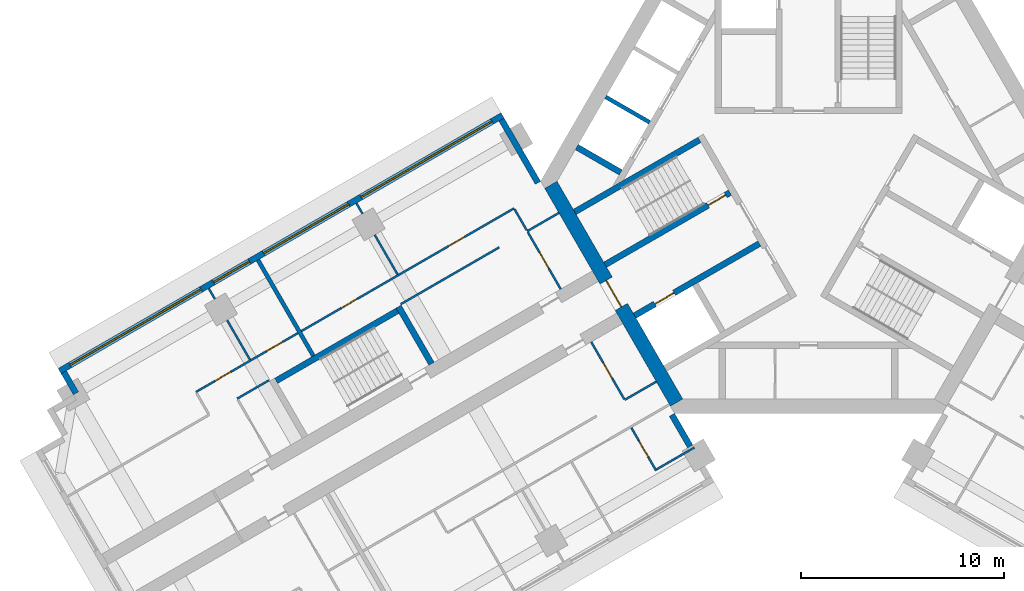
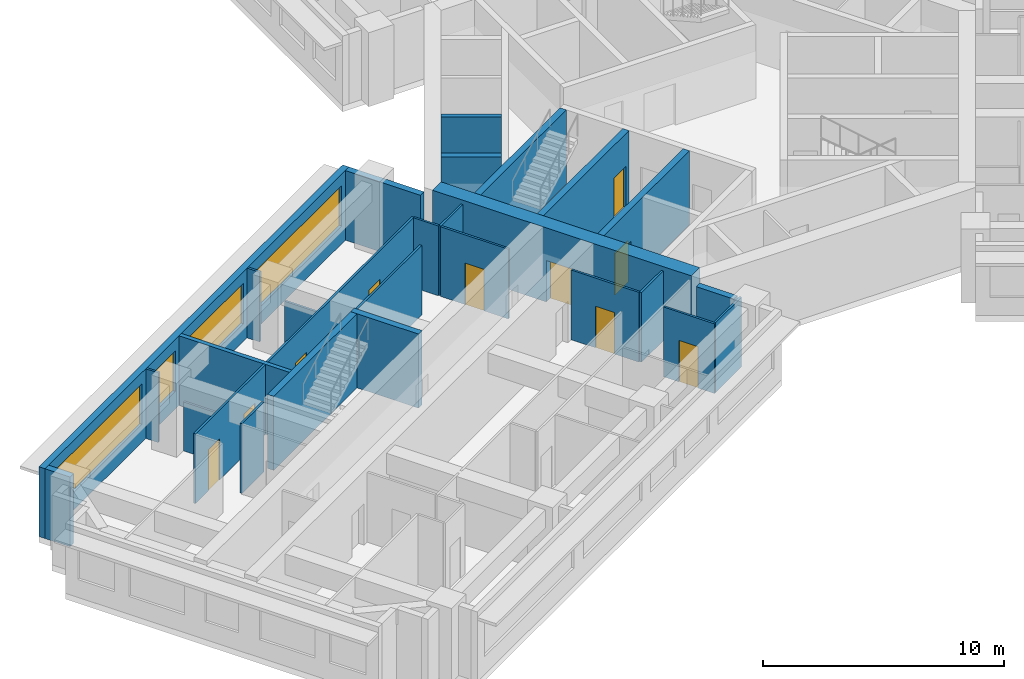
# One storey, part 4 of 12: 28 walls, 10 doors, 4 windows, 14 openings.
"""IFC4 building model written with IfcOpenShell, lengths in metres."""

from ifc_helpers import new_model, si_unit, direction, frame, frame_2d, origin, place, context, subcontext, project, spatial, rectangle, extrude, material, layer, layer_set, type_object, element, fill, save


model = new_model("IFC4")

# Units and contexts
model_context = context("Model", 3, precision=1e-05, world=origin(), true_north=direction((0.0, 1.0)))
body_context = subcontext(model_context, "Body", "Model", "MODEL_VIEW")
ifc_project = project(units=[si_unit("LENGTHUNIT", "METRE"), si_unit("AREAUNIT", "SQUARE_METRE"), si_unit("VOLUMEUNIT", "CUBIC_METRE"), si_unit("PLANEANGLEUNIT", "RADIAN"), si_unit("MASSUNIT", "GRAM", prefix="KILO")], contexts=[model_context])

# Site, building, storey
site_placement = place(None, origin())
site = spatial("IfcSite", under=ifc_project, at=site_placement, CompositionType="ELEMENT")
building_placement = place(site_placement, origin())
building = spatial("IfcBuilding", under=site, at=building_placement, Name="Impinga Residences", CompositionType="ELEMENT")
storey_placement = place(building_placement, frame((0.0, 0.0, 188.5)))
storey = spatial("IfcBuildingStorey", under=building, at=storey_placement, Name="L46", CompositionType="ELEMENT", Elevation=188.5)

# Wall
ifc_material_1 = material(Name="Terracotta rainscreen on blockwork", Category="masonry")
ifc_layer_1 = layer(ifc_material_1, 0.300048828125)
ifc_layer_set_1 = layer_set([ifc_layer_1], Name="EW1 external wall, terracotta rainscreen on blockwork 300")
wall_type_1 = type_object("IfcWallType", Name="EW1 external wall, terracotta rainscreen on blockwork 300", PredefinedType="SOLIDWALL", material=ifc_layer_set_1)
wall_1_placement = place(storey_placement, frame((-36.093994140625, -10.446533203125, 0.0), z_axis=(0.0, 0.0, 1.0), x_axis=(-0.499880961361, 0.866094119867, 0.0)))
element("IfcWall", 1, at=wall_1_placement, inside=storey, type_object=wall_type_1, Name="External wall EW1 L46", PredefinedType="SOLIDWALL", context=body_context, shape_type="SweptSolid", body=[
    extrude(rectangle(XDim=1.199951171875, YDim=0.300048828125, at=frame_2d((0.60009765625, 0.0))), origin(), (0.0, 0.0, 1.0), 3.530029296875),
])

# Wall, openings, windows
wall_2_placement = place(storey_placement, frame((-36.89892578125, -9.352294921875, 0.0), z_axis=(0.0, 0.0, 1.0), x_axis=(0.86602925447, 0.499993330357, 0.0)))
wall_2 = element("IfcWall", 2, at=wall_2_placement, inside=storey, type_object=wall_type_1, Name="External wall EW1 L46", PredefinedType="SOLIDWALL", context=body_context, shape_type="SweptSolid", body=[
    extrude(rectangle(XDim=25.199951171875, YDim=0.300048828125, at=frame_2d((12.60009765625, 0.0))), origin(), (0.0, 0.0, 1.0), 3.530029296875),
])
opening_1_placement = place(wall_2_placement, frame((0.60009765625, 0.0, 0.89990234375)))
opening_1 = element("IfcOpeningElement", 3, at=opening_1_placement, cuts=wall_2, Name="Opening W7", PredefinedType="OPENING", context=body_context, shape_type="SweptSolid", body=[
    extrude(rectangle(XDim=7.449951171875, YDim=2.050048828125, at=frame_2d((3.72509765625, 1.02490234375))), frame((0.0, 0.159912109375, 0.0), z_axis=(0.0, -1.0, 0.0), x_axis=(1.0, 0.0, 0.0)), (0.0, 0.0, 1.0), 0.320068359375),
])
opening_2_placement = place(wall_2_placement, frame((8.75, 0.0, 0.89990234375)))
opening_2 = element("IfcOpeningElement", 4, at=opening_2_placement, cuts=wall_2, Name="Opening W14", PredefinedType="OPENING", context=body_context, shape_type="SweptSolid", body=[
    extrude(rectangle(XDim=2.050048828125, YDim=2.050048828125, at=frame_2d((1.02490234375, 1.02490234375))), frame((0.0, 0.159912109375, 0.0), z_axis=(0.0, -1.0, 0.0), x_axis=(1.0, 0.0, 0.0)), (0.0, 0.0, 1.0), 0.320068359375),
])
opening_3_placement = place(wall_2_placement, frame((11.60009765625, 0.0, 0.89990234375)))
opening_3 = element("IfcOpeningElement", 5, at=opening_3_placement, cuts=wall_2, Name="Opening W6", PredefinedType="OPENING", context=body_context, shape_type="SweptSolid", body=[
    extrude(rectangle(XDim=4.85009765625, YDim=2.050048828125, at=frame_2d((2.425048828125, 1.02490234375))), frame((0.0, 0.159912109375, 0.0), z_axis=(0.0, -1.0, 0.0), x_axis=(1.0, 0.0, 0.0)), (0.0, 0.0, 1.0), 0.320068359375),
])
opening_4_placement = place(wall_2_placement, frame((17.14990234375, 0.0, 0.89990234375)))
opening_4 = element("IfcOpeningElement", 6, at=opening_4_placement, cuts=wall_2, Name="Opening W7", PredefinedType="OPENING", context=body_context, shape_type="SweptSolid", body=[
    extrude(rectangle(XDim=7.449951171875, YDim=2.050048828125, at=frame_2d((3.72509765625, 1.02490234375))), frame((0.0, 0.159912109375, 0.0), z_axis=(0.0, -1.0, 0.0), x_axis=(1.0, 0.0, 0.0)), (0.0, 0.0, 1.0), 0.320068359375),
])
ifc_material_2 = material(Name="Aluminium window, clear double glazing", Category="aluminium")
window_type_1 = type_object("IfcWindowType", Name="W14 ribbon window 2050x2050", PartitioningType="SINGLE_PANEL", PredefinedType="WINDOW", material=ifc_material_2)
window_1_placement = place(opening_2_placement, origin())
window_1 = element("IfcWindow", 7, at=window_1_placement, inside=storey, type_object=window_type_1, Name="Window L46", OverallHeight=2.050048828125, OverallWidth=2.050048828125, PartitioningType="SINGLE_PANEL", PredefinedType="WINDOW", context=body_context, shape_type="SweptSolid", body=[
    extrude(rectangle(XDim=2.050048828125, YDim=2.050048828125, at=frame_2d((1.02490234375, 1.02490234375))), frame((0.0, 0.030029296875, 0.0), z_axis=(0.0, -1.0, 0.0), x_axis=(1.0, 0.0, 0.0)), (0.0, 0.0, 1.0), 0.06005859375),
])
fill(opening_2, window_1)
window_type_2 = type_object("IfcWindowType", Name="W6 ribbon window 4850x2050", PartitioningType="SINGLE_PANEL", PredefinedType="WINDOW", material=ifc_material_2)
window_2_placement = place(opening_3_placement, origin())
window_2 = element("IfcWindow", 8, at=window_2_placement, inside=storey, type_object=window_type_2, Name="Window L46", OverallHeight=2.050048828125, OverallWidth=4.85009765625, PartitioningType="SINGLE_PANEL", PredefinedType="WINDOW", context=body_context, shape_type="SweptSolid", body=[
    extrude(rectangle(XDim=4.85009765625, YDim=2.050048828125, at=frame_2d((2.425048828125, 1.02490234375))), frame((0.0, 0.030029296875, 0.0), z_axis=(0.0, -1.0, 0.0), x_axis=(1.0, 0.0, 0.0)), (0.0, 0.0, 1.0), 0.06005859375),
])
fill(opening_3, window_2)
window_type_3 = type_object("IfcWindowType", Name="W7 ribbon window 7450x2050", PartitioningType="SINGLE_PANEL", PredefinedType="WINDOW", material=ifc_material_2)
window_3_placement = place(opening_1_placement, origin())
window_3 = element("IfcWindow", 9, at=window_3_placement, inside=storey, type_object=window_type_3, Name="Window L46", OverallHeight=2.050048828125, OverallWidth=7.449951171875, PartitioningType="SINGLE_PANEL", PredefinedType="WINDOW", context=body_context, shape_type="SweptSolid", body=[
    extrude(rectangle(XDim=7.449951171875, YDim=2.050048828125, at=frame_2d((3.72509765625, 1.02490234375))), frame((0.0, 0.030029296875, 0.0), z_axis=(0.0, -1.0, 0.0), x_axis=(1.0, 0.0, 0.0)), (0.0, 0.0, 1.0), 0.06005859375),
])
fill(opening_1, window_3)
window_4_placement = place(opening_4_placement, origin())
window_4 = element("IfcWindow", 10, at=window_4_placement, inside=storey, type_object=window_type_3, Name="Window L46", OverallHeight=2.050048828125, OverallWidth=7.449951171875, PartitioningType="SINGLE_PANEL", PredefinedType="WINDOW", context=body_context, shape_type="SweptSolid", body=[
    extrude(rectangle(XDim=7.449951171875, YDim=2.050048828125, at=frame_2d((3.72509765625, 1.02490234375))), frame((0.0, 0.030029296875, 0.0), z_axis=(0.0, -1.0, 0.0), x_axis=(1.0, 0.0, 0.0)), (0.0, 0.0, 1.0), 0.06005859375),
])
fill(opening_4, window_4)

# Walls
wall_3_placement = place(storey_placement, frame((-15.1298828125, 3.042724609375, 0.0), z_axis=(0.0, 0.0, 1.0), x_axis=(0.500012057535, -0.866018442252, 0.0)))
element("IfcWall", 11, at=wall_3_placement, inside=storey, type_object=wall_type_1, Name="External wall EW1 L46", PredefinedType="SOLIDWALL", context=body_context, shape_type="SweptSolid", body=[
    extrude(rectangle(XDim=3.60009765625, YDim=0.300048828125, at=frame_2d((1.800048828125, 0.0))), origin(), (0.0, 0.0, 1.0), 3.530029296875),
])
wall_4_placement = place(storey_placement, frame((-6.72998046875, -11.506591796875, 0.0), z_axis=(0.0, 0.0, 1.0), x_axis=(0.500062916607, -0.865989075817, 0.0)))
element("IfcWall", 12, at=wall_4_placement, inside=storey, type_object=wall_type_1, Name="External wall EW1 L46", PredefinedType="SOLIDWALL", context=body_context, shape_type="SweptSolid", body=[
    extrude(rectangle(XDim=1.800048828125, YDim=0.300048828125, at=frame_2d((0.89990234375, 0.0))), origin(), (0.0, 0.0, 1.0), 3.530029296875),
])
ifc_material_3 = material(Name="Gypsum board on steel studs", Category="steel")
ifc_layer_2 = layer(ifc_material_3, 0.10009765625)
ifc_layer_set_2 = layer_set([ifc_layer_2], Name="Gypsum board on steel studs")
wall_type_2 = type_object("IfcWallType", Name="IP1 partition 100", PredefinedType="PARTITIONING", material=ifc_layer_set_2)
wall_5_placement = place(storey_placement, frame((-7.5, -9.872802734375, 0.0), z_axis=(0.0, 0.0, 1.0), x_axis=(-0.866047807691, -0.499961193289, 0.0)))
element("IfcWall", 13, at=wall_5_placement, inside=storey, type_object=wall_type_2, Name="Partition L46-WA1:DIV0", PredefinedType="PARTITIONING", context=body_context, shape_type="SweptSolid", body=[
    extrude(rectangle(XDim=1.800048828125, YDim=0.10009765625, at=frame_2d((0.89990234375, 0.0))), origin(), (0.0, 0.0, 1.0), 3.530029296875),
])

# Wall, opening, door
wall_6_placement = place(storey_placement, frame((-10.708740234375, -7.914794921875, 0.0), z_axis=(0.0, 0.0, 1.0), x_axis=(0.499984717929, -0.866034226713, 0.0)))
wall_6 = element("IfcWall", 14, at=wall_6_placement, inside=storey, type_object=wall_type_2, Name="Partition L46-WA1:IB1", PredefinedType="PARTITIONING", context=body_context, shape_type="SweptSolid", body=[
    extrude(rectangle(XDim=3.25, YDim=0.10009765625, at=frame_2d((1.625, 0.0))), origin(), (0.0, 0.0, 1.0), 3.530029296875),
])
opening_5_placement = place(wall_6_placement, frame((1.175048828125, 0.0, 0.0)))
opening_5 = element("IfcOpeningElement", 15, at=opening_5_placement, cuts=wall_6, Name="Opening D2", PredefinedType="OPENING", context=body_context, shape_type="SweptSolid", body=[
    extrude(rectangle(XDim=0.89990234375, YDim=2.10009765625, at=frame_2d((0.449951171875, 1.050048828125))), frame((0.0, 0.06005859375, 0.0), z_axis=(0.0, -1.0, 0.0), x_axis=(1.0, 0.0, 0.0)), (0.0, 0.0, 1.0), 0.1201171875),
])
ifc_material_4 = material(Name="Timber door set", Category="wood")
door_type_1 = type_object("IfcDoorType", Name="D2 internal door 900x2100", OperationType="SINGLE_SWING_LEFT", PredefinedType="DOOR", material=ifc_material_4)
door_1_placement = place(opening_5_placement, origin())
door_1 = element("IfcDoor", 16, at=door_1_placement, inside=storey, type_object=door_type_1, Name="Apartment L46-WA1 bathroom door", OperationType="SINGLE_SWING_LEFT", OverallHeight=2.10009765625, OverallWidth=0.89990234375, PredefinedType="DOOR", context=body_context, shape_type="SweptSolid", body=[
    extrude(rectangle(XDim=0.89990234375, YDim=2.10009765625, at=frame_2d((0.449951171875, 1.050048828125))), frame((0.0, 0.02490234375, 0.0), z_axis=(0.0, -1.0, 0.0), x_axis=(1.0, 0.0, 0.0)), (0.0, 0.0, 1.0), 0.050048828125),
])
fill(opening_5, door_1)

wall_7_placement = place(storey_placement, frame((-8.730224609375, -12.141845703125, 0.0), z_axis=(0.0, 0.0, 1.0), x_axis=(0.499943856944, -0.866057815567, 0.0)))
wall_7 = element("IfcWall", 17, at=wall_7_placement, inside=storey, type_object=wall_type_2, Name="Partition L46-WA1:EN1", PredefinedType="PARTITIONING", context=body_context, shape_type="SweptSolid", body=[
    extrude(rectangle(XDim=2.449951171875, YDim=0.10009765625, at=frame_2d((1.22509765625, 0.0))), origin(), (0.0, 0.0, 1.0), 3.530029296875),
])
opening_6_placement = place(wall_7_placement, frame((0.75, 0.0, 0.0)))
opening_6 = element("IfcOpeningElement", 18, at=opening_6_placement, cuts=wall_7, Name="Opening D2", PredefinedType="OPENING", context=body_context, shape_type="SweptSolid", body=[
    extrude(rectangle(XDim=0.89990234375, YDim=2.10009765625, at=frame_2d((0.449951171875, 1.050048828125))), frame((0.0, 0.06005859375, 0.0), z_axis=(0.0, -1.0, 0.0), x_axis=(1.0, 0.0, 0.0)), (0.0, 0.0, 1.0), 0.1201171875),
])
door_2_placement = place(opening_6_placement, origin())
door_2 = element("IfcDoor", 19, at=door_2_placement, inside=storey, type_object=door_type_1, Name="Apartment L46-WA1 en-suite door", OperationType="SINGLE_SWING_LEFT", OverallHeight=2.10009765625, OverallWidth=0.89990234375, PredefinedType="DOOR", context=body_context, shape_type="SweptSolid", body=[
    extrude(rectangle(XDim=0.89990234375, YDim=2.10009765625, at=frame_2d((0.449951171875, 1.050048828125))), frame((0.0, 0.02490234375, 0.0), z_axis=(0.0, -1.0, 0.0), x_axis=(1.0, 0.0, 0.0)), (0.0, 0.0, 1.0), 0.050048828125),
])
fill(opening_6, door_2)

# Walls
wall_8_placement = place(storey_placement, frame((-5.625, -13.120361328125, 0.0), z_axis=(0.0, 0.0, 1.0), x_axis=(-0.866047553582, -0.499961633463, 0.0)))
element("IfcWall", 20, at=wall_8_placement, inside=storey, type_object=wall_type_2, Name="Partition L46-WA1:EN2", PredefinedType="PARTITIONING", context=body_context, shape_type="SweptSolid", body=[
    extrude(rectangle(XDim=2.150146484375, YDim=0.10009765625, at=frame_2d((1.0751953125, 0.0))), origin(), (0.0, 0.0, 1.0), 3.530029296875),
])
wall_9_placement = place(storey_placement, frame((-12.300048828125, -1.558837890625, 0.0), z_axis=(0.0, 0.0, 1.0), x_axis=(-0.866047807691, -0.499961193289, 0.0)))
element("IfcWall", 21, at=wall_9_placement, inside=storey, type_object=wall_type_2, Name="Partition L46-WF1:DIV0", PredefinedType="PARTITIONING", context=body_context, shape_type="SweptSolid", body=[
    extrude(rectangle(XDim=1.800048828125, YDim=0.10009765625, at=frame_2d((0.89990234375, 0.0))), origin(), (0.0, 0.0, 1.0), 3.530029296875),
])
wall_10_placement = place(storey_placement, frame((-15.244384765625, -3.2587890625, 0.0), z_axis=(0.0, 0.0, 1.0), x_axis=(-0.866026594901, -0.49999793692, 0.0)))
element("IfcWall", 22, at=wall_10_placement, inside=storey, type_object=wall_type_2, Name="Partition L46-WF1:DIV1", PredefinedType="PARTITIONING", context=body_context, shape_type="SweptSolid", body=[
    extrude(rectangle(XDim=5.60009765625, YDim=0.10009765625, at=frame_2d((2.800048828125, 0.0))), origin(), (0.0, 0.0, 1.0), 3.530029296875),
])

# Wall, openings, doors
wall_11_placement = place(storey_placement, frame((-14.5087890625, -1.3330078125, 0.0), z_axis=(0.0, 0.0, 1.0), x_axis=(-0.866025650635, -0.499999572443, 0.0)))
wall_11 = element("IfcWall", 23, at=wall_11_placement, inside=storey, type_object=wall_type_2, Name="Partition L46-WF1:STRIP", PredefinedType="PARTITIONING", context=body_context, shape_type="SweptSolid", body=[
    extrude(rectangle(XDim=12.10009765625, YDim=0.10009765625, at=frame_2d((6.050048828125, 0.0))), origin(), (0.0, 0.0, 1.0), 3.530029296875),
])
opening_7_placement = place(wall_11_placement, frame((2.824951171875, 0.0, 0.0)))
opening_7 = element("IfcOpeningElement", 24, at=opening_7_placement, cuts=wall_11, Name="Opening D2", PredefinedType="OPENING", context=body_context, shape_type="SweptSolid", body=[
    extrude(rectangle(XDim=0.89990234375, YDim=2.10009765625, at=frame_2d((0.449951171875, 1.050048828125))), frame((0.0, 0.06005859375, 0.0), z_axis=(0.0, -1.0, 0.0), x_axis=(1.0, 0.0, 0.0)), (0.0, 0.0, 1.0), 0.1201171875),
])
opening_8_placement = place(wall_11_placement, frame((8.925048828125, 0.0, 0.0)))
opening_8 = element("IfcOpeningElement", 25, at=opening_8_placement, cuts=wall_11, Name="Opening D2", PredefinedType="OPENING", context=body_context, shape_type="SweptSolid", body=[
    extrude(rectangle(XDim=0.89990234375, YDim=2.10009765625, at=frame_2d((0.449951171875, 1.050048828125))), frame((0.0, 0.06005859375, 0.0), z_axis=(0.0, -1.0, 0.0), x_axis=(1.0, 0.0, 0.0)), (0.0, 0.0, 1.0), 0.1201171875),
])
door_3_placement = place(opening_7_placement, origin())
door_3 = element("IfcDoor", 26, at=door_3_placement, inside=storey, type_object=door_type_1, Name="Apartment L46-WF1 room door", OperationType="SINGLE_SWING_LEFT", OverallHeight=2.10009765625, OverallWidth=0.89990234375, PredefinedType="DOOR", context=body_context, shape_type="SweptSolid", body=[
    extrude(rectangle(XDim=0.89990234375, YDim=2.10009765625, at=frame_2d((0.449951171875, 1.050048828125))), frame((0.0, 0.02490234375, 0.0), z_axis=(0.0, -1.0, 0.0), x_axis=(1.0, 0.0, 0.0)), (0.0, 0.0, 1.0), 0.050048828125),
])
fill(opening_7, door_3)
door_4_placement = place(opening_8_placement, origin())
door_4 = element("IfcDoor", 27, at=door_4_placement, inside=storey, type_object=door_type_1, Name="Apartment L46-WF1 room door", OperationType="SINGLE_SWING_RIGHT", OverallHeight=2.10009765625, OverallWidth=0.89990234375, PredefinedType="DOOR", context=body_context, shape_type="SweptSolid", body=[
    extrude(rectangle(XDim=0.89990234375, YDim=2.10009765625, at=frame_2d((0.449951171875, 1.050048828125))), frame((0.0, 0.02490234375, 0.0), z_axis=(0.0, -1.0, 0.0), x_axis=(1.0, 0.0, 0.0)), (0.0, 0.0, 1.0), 0.050048828125),
])
fill(opening_8, door_4)

# Wall
wall_12_placement = place(storey_placement, frame((-13.8837890625, -2.41552734375, 0.0), z_axis=(0.0, 0.0, 1.0), x_axis=(-0.500033551112, 0.866006032174, 0.0)))
element("IfcWall", 28, at=wall_12_placement, inside=storey, type_object=wall_type_2, Name="Partition L46-WF1:SE0", PredefinedType="PARTITIONING", context=body_context, shape_type="SweptSolid", body=[
    extrude(rectangle(XDim=1.2001953125, YDim=0.10009765625, at=frame_2d((0.60009765625, 0.0))), origin(), (0.0, 0.0, 1.0), 3.530029296875),
])

# Wall, opening, door
wall_13_placement = place(storey_placement, frame((-12.208740234375, -5.316650390625, 0.0), z_axis=(0.0, 0.0, 1.0), x_axis=(-0.500017246033, 0.866015446554, 0.0)))
wall_13 = element("IfcWall", 29, at=wall_13_placement, inside=storey, type_object=wall_type_2, Name="Partition L46-WF1:IB1", PredefinedType="PARTITIONING", context=body_context, shape_type="SweptSolid", body=[
    extrude(rectangle(XDim=3.25, YDim=0.10009765625, at=frame_2d((1.625, 0.0))), origin(), (0.0, 0.0, 1.0), 3.530029296875),
])
opening_9_placement = place(wall_13_placement, frame((1.175048828125, 0.0, 0.0)))
opening_9 = element("IfcOpeningElement", 30, at=opening_9_placement, cuts=wall_13, Name="Opening D2", PredefinedType="OPENING", context=body_context, shape_type="SweptSolid", body=[
    extrude(rectangle(XDim=0.89990234375, YDim=2.10009765625, at=frame_2d((0.449951171875, 1.050048828125))), frame((0.0, 0.06005859375, 0.0), z_axis=(0.0, -1.0, 0.0), x_axis=(1.0, 0.0, 0.0)), (0.0, 0.0, 1.0), 0.1201171875),
])
door_5_placement = place(opening_9_placement, origin())
door_5 = element("IfcDoor", 31, at=door_5_placement, inside=storey, type_object=door_type_1, Name="Apartment L46-WF1 bathroom door", OperationType="SINGLE_SWING_LEFT", OverallHeight=2.10009765625, OverallWidth=0.89990234375, PredefinedType="DOOR", context=body_context, shape_type="SweptSolid", body=[
    extrude(rectangle(XDim=0.89990234375, YDim=2.10009765625, at=frame_2d((0.449951171875, 1.050048828125))), frame((0.0, 0.02490234375, 0.0), z_axis=(0.0, -1.0, 0.0), x_axis=(1.0, 0.0, 0.0)), (0.0, 0.0, 1.0), 0.050048828125),
])
fill(opening_9, door_5)

# Walls
wall_14_placement = place(storey_placement, frame((-20.24951171875, -4.589599609375, 0.0), z_axis=(0.0, 0.0, 1.0), x_axis=(-0.500013631625, 0.866017533419, 0.0)))
element("IfcWall", 32, at=wall_14_placement, inside=storey, type_object=wall_type_2, Name="Partition L46-WF1:OB1", PredefinedType="PARTITIONING", context=body_context, shape_type="SweptSolid", body=[
    extrude(rectangle(XDim=2.25, YDim=0.10009765625, at=frame_2d((1.125, 0.0))), origin(), (0.0, 0.0, 1.0), 2.47998046875),
])
wall_15_placement = place(storey_placement, frame((-21.974609375, -1.601806640625, 0.0), z_axis=(0.0, 0.0, 1.0), x_axis=(-0.50012165622, 0.865955154139, 0.0)))
element("IfcWall", 33, at=wall_15_placement, inside=storey, type_object=wall_type_2, Name="Partition L46-WF1:OB1b", PredefinedType="PARTITIONING", context=body_context, shape_type="SweptSolid", body=[
    extrude(rectangle(XDim=0.599853515625, YDim=0.10009765625, at=frame_2d((0.2998046875, 0.0))), origin(), (0.0, 0.0, 1.0), 3.530029296875),
])
wall_16_placement = place(storey_placement, frame((-26.58935546875, -9.808837890625, 0.0), z_axis=(0.0, 0.0, 1.0), x_axis=(-0.866047807691, -0.499961193289, 0.0)))
element("IfcWall", 34, at=wall_16_placement, inside=storey, type_object=wall_type_2, Name="Partition L46-WF2:DIV0", PredefinedType="PARTITIONING", context=body_context, shape_type="SweptSolid", body=[
    extrude(rectangle(XDim=1.800048828125, YDim=0.10009765625, at=frame_2d((0.89990234375, 0.0))), origin(), (0.0, 0.0, 1.0), 3.530029296875),
])

# Wall, openings, doors
wall_17_placement = place(storey_placement, frame((-25.160888671875, -7.48291015625, 0.0), z_axis=(0.0, 0.0, 1.0), x_axis=(-0.86601454848, -0.500018801468, 0.0)))
wall_17 = element("IfcWall", 35, at=wall_17_placement, inside=storey, type_object=wall_type_2, Name="Partition L46-WF2:STRIP", PredefinedType="PARTITIONING", context=body_context, shape_type="SweptSolid", body=[
    extrude(rectangle(XDim=5.800048828125, YDim=0.10009765625, at=frame_2d((2.89990234375, 0.0))), origin(), (0.0, 0.0, 1.0), 3.530029296875),
])
opening_10_placement = place(wall_17_placement, frame((0.875, 0.0, 0.0)))
opening_10 = element("IfcOpeningElement", 36, at=opening_10_placement, cuts=wall_17, Name="Opening D2", PredefinedType="OPENING", context=body_context, shape_type="SweptSolid", body=[
    extrude(rectangle(XDim=0.89990234375, YDim=2.10009765625, at=frame_2d((0.449951171875, 1.050048828125))), frame((0.0, 0.06005859375, 0.0), z_axis=(0.0, -1.0, 0.0), x_axis=(1.0, 0.0, 0.0)), (0.0, 0.0, 1.0), 0.1201171875),
])
opening_11_placement = place(wall_17_placement, frame((3.824951171875, 0.0, 0.0)))
opening_11 = element("IfcOpeningElement", 37, at=opening_11_placement, cuts=wall_17, Name="Opening D2", PredefinedType="OPENING", context=body_context, shape_type="SweptSolid", body=[
    extrude(rectangle(XDim=0.89990234375, YDim=2.10009765625, at=frame_2d((0.449951171875, 1.050048828125))), frame((0.0, 0.06005859375, 0.0), z_axis=(0.0, -1.0, 0.0), x_axis=(1.0, 0.0, 0.0)), (0.0, 0.0, 1.0), 0.1201171875),
])
door_6_placement = place(opening_10_placement, origin())
door_6 = element("IfcDoor", 38, at=door_6_placement, inside=storey, type_object=door_type_1, Name="Apartment L46-WF2 room door", OperationType="SINGLE_SWING_LEFT", OverallHeight=2.10009765625, OverallWidth=0.89990234375, PredefinedType="DOOR", context=body_context, shape_type="SweptSolid", body=[
    extrude(rectangle(XDim=0.89990234375, YDim=2.10009765625, at=frame_2d((0.449951171875, 1.050048828125))), frame((0.0, 0.02490234375, 0.0), z_axis=(0.0, -1.0, 0.0), x_axis=(1.0, 0.0, 0.0)), (0.0, 0.0, 1.0), 0.050048828125),
])
fill(opening_10, door_6)
door_7_placement = place(opening_11_placement, origin())
door_7 = element("IfcDoor", 39, at=door_7_placement, inside=storey, type_object=door_type_1, Name="Apartment L46-WF2 room door", OperationType="SINGLE_SWING_RIGHT", OverallHeight=2.10009765625, OverallWidth=0.89990234375, PredefinedType="DOOR", context=body_context, shape_type="SweptSolid", body=[
    extrude(rectangle(XDim=0.89990234375, YDim=2.10009765625, at=frame_2d((0.449951171875, 1.050048828125))), frame((0.0, 0.02490234375, 0.0), z_axis=(0.0, -1.0, 0.0), x_axis=(1.0, 0.0, 0.0)), (0.0, 0.0, 1.0), 0.050048828125),
])
fill(opening_11, door_7)

# Walls
wall_18_placement = place(storey_placement, frame((-27.524169921875, -8.789794921875, 0.0), z_axis=(0.0, 0.0, 1.0), x_axis=(-0.499966648284, 0.866044658551, 0.0)))
element("IfcWall", 40, at=wall_18_placement, inside=storey, type_object=wall_type_2, Name="Partition L46-WF2:OB1", PredefinedType="PARTITIONING", context=body_context, shape_type="SweptSolid", body=[
    extrude(rectangle(XDim=2.250244140625, YDim=0.10009765625, at=frame_2d((1.125, 0.0))), origin(), (0.0, 0.0, 1.0), 2.47998046875),
])
wall_19_placement = place(storey_placement, frame((-29.249267578125, -5.802001953125, 0.0), z_axis=(0.0, 0.0, 1.0), x_axis=(-0.499945471869, 0.866056883327, 0.0)))
element("IfcWall", 41, at=wall_19_placement, inside=storey, type_object=wall_type_2, Name="Partition L46-WF2:OB1b", PredefinedType="PARTITIONING", context=body_context, shape_type="SweptSolid", body=[
    extrude(rectangle(XDim=0.60009765625, YDim=0.10009765625, at=frame_2d((0.300048828125, 0.0))), origin(), (0.0, 0.0, 1.0), 3.530029296875),
])
ifc_material_5 = material(Name="Concrete blockwork", Category="masonry")
ifc_layer_3 = layer(ifc_material_5, 0.199951171875)
ifc_layer_set_3 = layer_set([ifc_layer_3], Name="PW1 party wall between apartments 200")
wall_type_3 = type_object("IfcWallType", Name="PW1 party wall between apartments 200", PredefinedType="SOLIDWALL", material=ifc_layer_set_3)
wall_20_placement = place(storey_placement, frame((-24.3994140625, -8.60205078125, 0.0), z_axis=(0.0, 0.0, 1.0), x_axis=(-0.499988730927, 0.866031909889, 0.0)))
element("IfcWall", 42, at=wall_20_placement, inside=storey, type_object=wall_type_3, Name="Party wall between apartments L46-WF1:PARTY", PredefinedType="SOLIDWALL", context=body_context, shape_type="SweptSolid", body=[
    extrude(rectangle(XDim=5.449951171875, YDim=0.199951171875, at=frame_2d((2.72509765625, 0.0))), origin(), (0.0, 0.0, 1.0), 3.530029296875),
])
ifc_material_6 = material(Name="Concrete C60/75", Category="concrete")
ifc_layer_4 = layer(ifc_material_6, 0.300048828125)
ifc_layer_set_4 = layer_set([ifc_layer_4], Name="Concrete C60/75")
wall_type_4 = type_object("IfcWallType", Name="SE1 wing stair enclosure wall 300", PredefinedType="SOLIDWALL", material=ifc_layer_set_4)
wall_21_placement = place(storey_placement, frame((-18.57421875, -8.99169921875, 0.0), z_axis=(0.0, 0.0, 1.0), x_axis=(-0.500017246033, 0.866015446554, 0.0)))
element("IfcWall", 43, at=wall_21_placement, inside=storey, type_object=wall_type_4, Name="Stair enclosure wall SE1 W END0 L46", PredefinedType="SOLIDWALL", context=body_context, shape_type="SweptSolid", body=[
    extrude(rectangle(XDim=3.25, YDim=0.300048828125, at=frame_2d((1.625, 0.0))), origin(), (0.0, 0.0, 1.0), 3.75),
])
wall_22_placement = place(storey_placement, frame((-20.254150390625, -6.382080078125, 0.0), z_axis=(0.0, 0.0, 1.0), x_axis=(-0.866020008033, -0.500009345598, 0.0)))
element("IfcWall", 44, at=wall_22_placement, inside=storey, type_object=wall_type_4, Name="Stair enclosure wall SE1 W OUT L46", PredefinedType="SOLIDWALL", context=body_context, shape_type="SweptSolid", body=[
    extrude(rectangle(XDim=6.899658203125, YDim=0.300048828125, at=frame_2d((3.44970703125, 0.0))), origin(), (0.0, 0.0, 1.0), 3.75),
])

# Wall, opening, door
ifc_layer_5 = layer(ifc_material_6, 0.699951171875)
ifc_layer_set_5 = layer_set([ifc_layer_5], Name="Concrete C60/75")
wall_type_5 = type_object("IfcWallType", Name="SW3 core wall 700", PredefinedType="SHEAR", material=ifc_layer_set_5)
wall_23_placement = place(storey_placement, frame((-6.4990234375, -10.906494140625, 0.0), z_axis=(0.0, 0.0, 1.0), x_axis=(-0.499999875397, 0.866025475724, 0.0)))
wall_23 = element("IfcWall", 45, at=wall_23_placement, inside=storey, type_object=wall_type_5, Name="Core wall SW3 W:FACE L46", PredefinedType="SHEAR", context=body_context, shape_type="SweptSolid", body=[
    extrude(rectangle(XDim=12.3916015625, YDim=0.699951171875, at=frame_2d((6.19580078125, 0.0))), origin(), (0.0, 0.0, 1.0), 3.75),
])
opening_12_placement = place(wall_23_placement, frame((5.44580078125, 0.0, 0.0)))
opening_12 = element("IfcOpeningElement", 46, at=opening_12_placement, cuts=wall_23, Name="Opening D4", PredefinedType="OPENING", context=body_context, shape_type="SweptSolid", body=[
    extrude(rectangle(XDim=1.5, YDim=2.10009765625, at=frame_2d((0.75, 1.050048828125))), frame((0.0, 0.35986328125, 0.0), z_axis=(0.0, -1.0, 0.0), x_axis=(1.0, 0.0, 0.0)), (0.0, 0.0, 1.0), 0.719970703125),
])
door_type_2 = type_object("IfcDoorType", Name="D4 lobby door pair 1500x2100", OperationType="DOUBLE_DOOR_DOUBLE_SWING", PredefinedType="DOOR", material=ifc_material_4)
door_8_placement = place(opening_12_placement, origin())
door_8 = element("IfcDoor", 47, at=door_8_placement, inside=storey, type_object=door_type_2, Name="Lobby door W", OperationType="DOUBLE_DOOR_DOUBLE_SWING", OverallHeight=2.10009765625, OverallWidth=1.5, PredefinedType="DOOR", context=body_context, shape_type="SweptSolid", body=[
    extrude(rectangle(XDim=1.5, YDim=2.10009765625, at=frame_2d((0.75, 1.050048828125))), frame((0.0, 0.02490234375, 0.0), z_axis=(0.0, -1.0, 0.0), x_axis=(1.0, 0.0, 0.0)), (0.0, 0.0, 1.0), 0.050048828125),
])
fill(opening_12, door_8)

ifc_material_7 = material(Name="Concrete C70/85", Category="concrete")
ifc_layer_6 = layer(ifc_material_7, 0.300048828125)
ifc_layer_set_6 = layer_set([ifc_layer_6], Name="Concrete C70/85")
wall_type_6 = type_object("IfcWallType", Name="SW5 core inner wall, stairs, shafts and lobbies 300", PredefinedType="SHEAR", material=ifc_layer_set_6)
wall_24_placement = place(storey_placement, frame((-3.86865234375, -0.559326171875, 0.0), z_axis=(0.0, 0.0, 1.0), x_axis=(-0.866025859768, -0.499999210213, 0.0)))
wall_24 = element("IfcWall", 48, at=wall_24_placement, inside=storey, type_object=wall_type_6, Name="Core wall SW5 W:ST-IN L46", PredefinedType="SHEAR", context=body_context, shape_type="SweptSolid", body=[
    extrude(rectangle(XDim=7.1015625, YDim=0.300048828125, at=frame_2d((3.55078125, 0.0))), origin(), (0.0, 0.0, 1.0), 3.75),
])
opening_13_placement = place(wall_24_placement, frame((0.25, 0.0, 0.0)))
opening_13 = element("IfcOpeningElement", 49, at=opening_13_placement, cuts=wall_24, Name="Opening D5", PredefinedType="OPENING", context=body_context, shape_type="SweptSolid", body=[
    extrude(rectangle(XDim=1.0, YDim=2.10009765625, at=frame_2d((0.5, 1.050048828125))), frame((0.0, 0.159912109375, 0.0), z_axis=(0.0, -1.0, 0.0), x_axis=(1.0, 0.0, 0.0)), (0.0, 0.0, 1.0), 0.320068359375),
])
door_type_3 = type_object("IfcDoorType", Name="D5 stair door 1000x2100", OperationType="SINGLE_SWING_LEFT", PredefinedType="DOOR", material=ifc_material_4)
door_9_placement = place(opening_13_placement, origin())
door_9 = element("IfcDoor", 50, at=door_9_placement, inside=storey, type_object=door_type_3, Name="Stair door W", OperationType="SINGLE_SWING_LEFT", OverallHeight=2.10009765625, OverallWidth=1.0, PredefinedType="DOOR", context=body_context, shape_type="SweptSolid", body=[
    extrude(rectangle(XDim=1.0, YDim=2.10009765625, at=frame_2d((0.5, 1.050048828125))), frame((0.0, 0.02490234375, 0.0), z_axis=(0.0, -1.0, 0.0), x_axis=(1.0, 0.0, 0.0)), (0.0, 0.0, 1.0), 0.050048828125),
])
fill(opening_13, door_9)

# Wall
wall_25_placement = place(storey_placement, frame((-5.36865234375, 2.038818359375, 0.0), z_axis=(0.0, 0.0, 1.0), x_axis=(-0.866025859768, -0.499999210213, 0.0)))
element("IfcWall", 51, at=wall_25_placement, inside=storey, type_object=wall_type_6, Name="Core wall SW5 W:ST-OUT L46", PredefinedType="SHEAR", context=body_context, shape_type="SweptSolid", body=[
    extrude(rectangle(XDim=7.1015625, YDim=0.300048828125, at=frame_2d((3.55078125, 0.0))), origin(), (0.0, 0.0, 1.0), 3.75),
])

# Wall, opening, door
wall_26_placement = place(storey_placement, frame((-2.418701171875, -3.07080078125, 0.0), z_axis=(0.0, 0.0, 1.0), x_axis=(-0.866025859768, -0.499999210213, 0.0)))
wall_26 = element("IfcWall", 52, at=wall_26_placement, inside=storey, type_object=wall_type_6, Name="Core wall SW5 W:FF-IN L46", PredefinedType="SHEAR", context=body_context, shape_type="SweptSolid", body=[
    extrude(rectangle(XDim=7.1015625, YDim=0.300048828125, at=frame_2d((3.55078125, 0.0))), origin(), (0.0, 0.0, 1.0), 3.75),
])
opening_14_placement = place(wall_26_placement, frame((4.85009765625, 0.0, 0.0)))
opening_14 = element("IfcOpeningElement", 53, at=opening_14_placement, cuts=wall_26, Name="Opening LD2", PredefinedType="OPENING", context=body_context, shape_type="SweptSolid", body=[
    extrude(rectangle(XDim=1.10009765625, YDim=2.10009765625, at=frame_2d((0.550048828125, 1.050048828125))), frame((0.0, 0.159912109375, 0.0), z_axis=(0.0, -1.0, 0.0), x_axis=(1.0, 0.0, 0.0)), (0.0, 0.0, 1.0), 0.320068359375),
])
ifc_material_8 = material(Name="Steel lift landing door", Category="steel")
door_type_4 = type_object("IfcDoorType", Name="LD2 firefighting lift landing door 1100x2100", OperationType="DOUBLE_DOOR_SLIDING", PredefinedType="DOOR", material=ifc_material_8)
door_10_placement = place(opening_14_placement, origin())
door_10 = element("IfcDoor", 54, at=door_10_placement, inside=storey, type_object=door_type_4, Name="Firefighting lift landing door F2", OperationType="DOUBLE_DOOR_SLIDING", OverallHeight=2.10009765625, OverallWidth=1.10009765625, PredefinedType="DOOR", context=body_context, shape_type="SweptSolid", body=[
    extrude(rectangle(XDim=1.10009765625, YDim=2.10009765625, at=frame_2d((0.550048828125, 1.050048828125))), frame((0.0, 0.02490234375, 0.0), z_axis=(0.0, -1.0, 0.0), x_axis=(1.0, 0.0, 0.0)), (0.0, 0.0, 1.0), 0.050048828125),
])
fill(opening_14, door_10)

# Walls
wall_27_placement = place(storey_placement, frame((-9.253662109375, 0.43505859375, 0.0), z_axis=(0.0, 0.0, 1.0), x_axis=(-0.866022959057, 0.500004234368, 0.0)))
element("IfcWall", 55, at=wall_27_placement, inside=storey, type_object=wall_type_6, Name="Core wall SW5 E:BANK-L L46", PredefinedType="SHEAR", context=body_context, shape_type="SweptSolid", body=[
    extrude(rectangle(XDim=2.5, YDim=0.300048828125, at=frame_2d((1.25, 0.0))), origin(), (0.0, 0.0, 1.0), 3.75),
])
ifc_layer_7 = layer(ifc_material_7, 0.199951171875)
ifc_layer_set_7 = layer_set([ifc_layer_7], Name="Concrete C70/85")
wall_type_7 = type_object("IfcWallType", Name="SW6 lift shaft divider wall 200", PredefinedType="SHEAR", material=ifc_layer_set_7)
wall_28_placement = place(storey_placement, frame((-7.82861328125, 2.9033203125, 0.0), z_axis=(0.0, 0.0, 1.0), x_axis=(-0.866047370643, 0.499961950354, 0.0)))
element("IfcWall", 56, at=wall_28_placement, inside=storey, type_object=wall_type_7, Name="Core wall SW6 E:BANK-D1 L46", PredefinedType="SHEAR", context=body_context, shape_type="SweptSolid", body=[
    extrude(rectangle(XDim=2.500244140625, YDim=0.199951171875, at=frame_2d((1.25, 0.0))), origin(), (0.0, 0.0, 1.0), 3.75),
])

save(model, "model.ifc")
